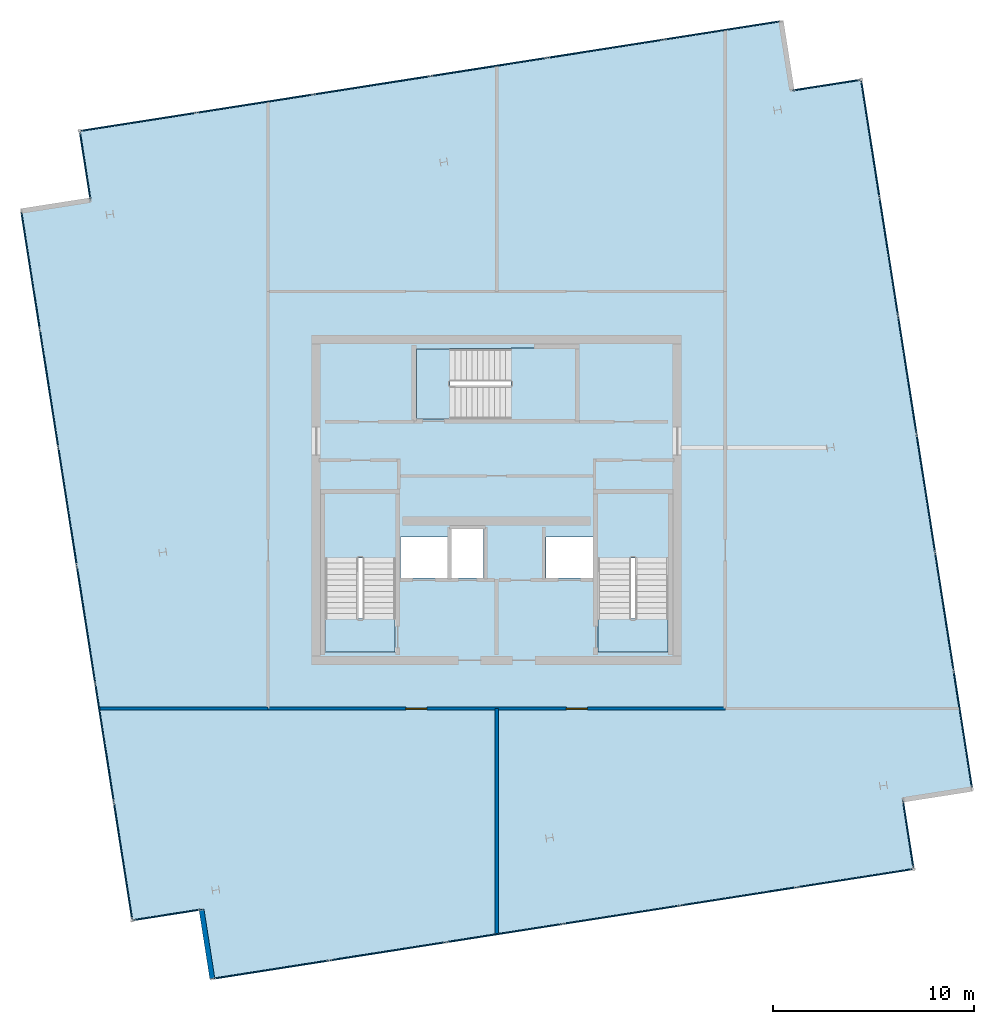
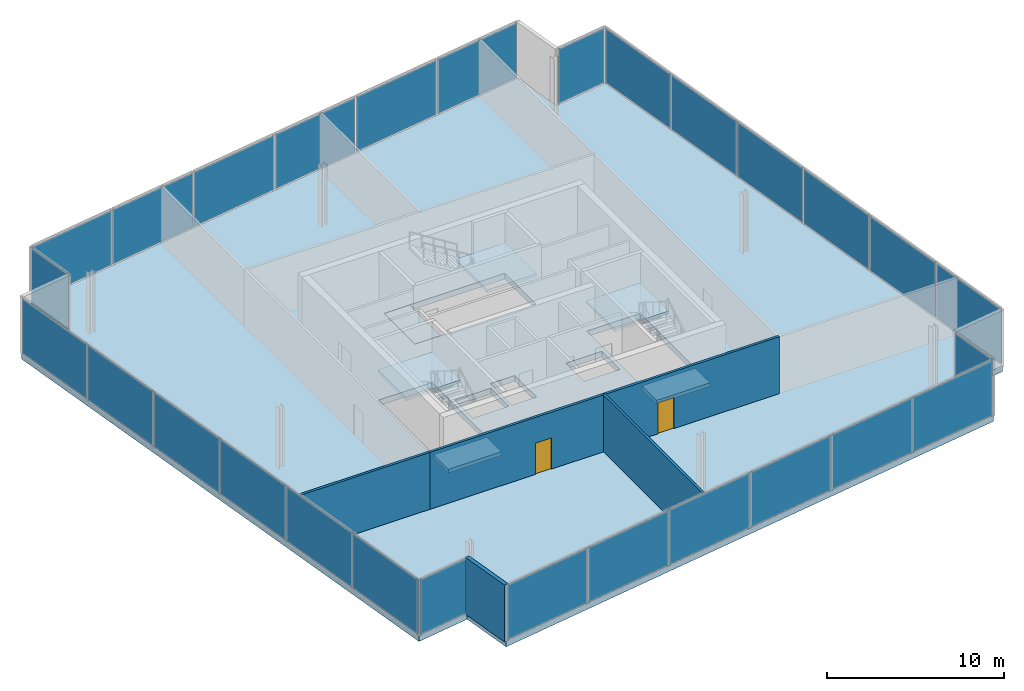
# One storey, part 10 of 13: 28 plates, 7 slabs, 4 walls, 2 doors, 2 openings, 11 elements without a shape of their own.
"""IFC4 building model written with IfcOpenShell, lengths in metres."""

from ifc_helpers import new_model, si_unit, direction, frame, frame_2d, origin, origin_2d, place, context, subcontext, project, spatial, polyline, rectangle, outline, extrude, source, transform, mapped, material, layer, layer_set, type_object, element, fill, aggregate, save


model = new_model("IFC4")

# Units and contexts
model_context = context("Model", 3, precision=1e-05, world=origin(), true_north=direction((0.0, 1.0)))
body_context = subcontext(model_context, "Body", "Model", "MODEL_VIEW")
ifc_project = project(units=[si_unit("LENGTHUNIT", "METRE"), si_unit("AREAUNIT", "SQUARE_METRE"), si_unit("VOLUMEUNIT", "CUBIC_METRE"), si_unit("PLANEANGLEUNIT", "RADIAN"), si_unit("MASSUNIT", "GRAM", prefix="KILO")], contexts=[model_context])

# Site, building, storey
site_placement = place(None, origin())
site = spatial("IfcSite", under=ifc_project, at=site_placement, CompositionType="ELEMENT")
building_placement = place(site_placement, origin())
building = spatial("IfcBuilding", under=site, at=building_placement, Name="Haldenkirk Collegiate Tower", CompositionType="ELEMENT")
storey_placement = place(building_placement, frame((0.0, 0.0, 356.39990234375)))
storey = spatial("IfcBuildingStorey", under=building, at=storey_placement, Name="L90", CompositionType="ELEMENT", Elevation=356.39990234375)

# Slab
ifc_material_1 = material(Name="Concrete f'c 40 MPa", Category="concrete")
ifc_layer_1 = layer(ifc_material_1, 0.39990234375)
ifc_layer_set_1 = layer_set([ifc_layer_1], Name="Concrete f'c 40 MPa")
slab_type_1 = type_object("IfcSlabType", Name="SLB-FLR-400", PredefinedType="FLOOR", material=ifc_layer_set_1)
slab_1_placement = place(storey_placement, frame((0.0, 0.0, -0.39990234375)))
element("IfcSlab", 1, at=slab_1_placement, inside=storey, type_object=slab_type_1, Name="L90 composite structural floor slab", PredefinedType="FLOOR", context=body_context, shape_type="SweptSolid", body=[
    extrude(outline(polyline([(59.714111328125, 11.595458984375), (54.17529296875, 46.96435546875), (50.717529296875, 46.4228515625), (50.176025390625, 49.880615234375), (15.202392578125, 44.404052734375), (15.743896484375, 40.946044921875), (12.285888671875, 40.404541015625), (17.82470703125, 5.03564453125), (21.282470703125, 5.5771484375), (21.823974609375, 2.119384765625), (56.797607421875, 7.595947265625), (56.256103515625, 11.053955078125), (59.714111328125, 11.595458984375)]), holes=[polyline([(27.449951171875, 18.39990234375), (30.949951171875, 18.39990234375), (30.949951171875, 26.300048828125), (27.449951171875, 26.300048828125), (27.449951171875, 18.39990234375)]), polyline([(41.050048828125, 18.39990234375), (44.550048828125, 18.39990234375), (44.550048828125, 26.300048828125), (41.050048828125, 26.300048828125), (41.050048828125, 18.39990234375)]), polyline([(32.0, 30.050048828125), (39.89990234375, 30.050048828125), (39.89990234375, 33.550048828125), (32.0, 33.550048828125), (32.0, 30.050048828125)]), polyline([(33.75, 22.10009765625), (35.35009765625, 22.10009765625), (35.35009765625, 24.550048828125), (33.75, 24.550048828125), (33.75, 22.10009765625)]), polyline([(31.199951171875, 22.10009765625), (33.550048828125, 22.10009765625), (33.550048828125, 24.14990234375), (31.199951171875, 24.14990234375), (31.199951171875, 22.10009765625)]), polyline([(38.449951171875, 22.10009765625), (40.800048828125, 22.10009765625), (40.800048828125, 24.14990234375), (38.449951171875, 24.14990234375), (38.449951171875, 22.10009765625)])]), origin(), (0.0, 0.0, 1.0), 0.39990234375),
])

# Stair, slab
stair_type = type_object("IfcStairType", Name="STR-DOGLEG-1650", PredefinedType="HALF_TURN_STAIR", material=ifc_material_1)
stair_1_placement = place(storey_placement, origin())
stair_1 = element("IfcStair", 2, at=stair_1_placement, inside=storey, type_object=stair_type, Name="L90 Core Exit Stair ST-1", PredefinedType="HALF_TURN_STAIR")
ifc_layer_2 = layer(ifc_material_1, 0.199951171875)
ifc_layer_set_2 = layer_set([ifc_layer_2], Name="Concrete f'c 40 MPa")
slab_type_2 = type_object("IfcSlabType", Name="SLB-LANDING-200", PredefinedType="LANDING", material=ifc_layer_set_2)
slab_2_placement = place(storey_placement, frame((0.0, 0.0, 1.900146484375)))
slab_2 = element("IfcSlab", 3, at=slab_2_placement, type_object=slab_type_2, Name="ST-1 landing 1", PredefinedType="LANDING", context=body_context, shape_type="SweptSolid", body=[
    extrude(outline(polyline([(30.97509765625, 23.10498046875), (27.425048828125, 23.10498046875), (27.425048828125, 26.324951171875), (30.97509765625, 26.324951171875), (30.97509765625, 23.10498046875)])), origin(), (0.0, 0.0, 1.0), 0.199951171875),
])
aggregate(stair_1, [slab_2])

stair_2_placement = place(storey_placement, origin())
stair_2 = element("IfcStair", 4, at=stair_2_placement, inside=storey, type_object=stair_type, Name="L90 Core Exit Stair ST-2", PredefinedType="HALF_TURN_STAIR")
slab_3_placement = place(storey_placement, frame((0.0, 0.0, 1.900146484375)))
slab_3 = element("IfcSlab", 5, at=slab_3_placement, type_object=slab_type_2, Name="ST-2 landing 1", PredefinedType="LANDING", context=body_context, shape_type="SweptSolid", body=[
    extrude(outline(polyline([(44.574951171875, 23.10498046875), (41.02490234375, 23.10498046875), (41.02490234375, 26.324951171875), (44.574951171875, 26.324951171875), (44.574951171875, 23.10498046875)])), origin(), (0.0, 0.0, 1.0), 0.199951171875),
])
aggregate(stair_2, [slab_3])

stair_3_placement = place(storey_placement, origin())
stair_3 = element("IfcStair", 6, at=stair_3_placement, inside=storey, type_object=stair_type, Name="L90 Core Exit Stair ST-3", PredefinedType="HALF_TURN_STAIR")
slab_4_placement = place(storey_placement, frame((0.0, 0.0, 1.900146484375)))
slab_4 = element("IfcSlab", 7, at=slab_4_placement, type_object=slab_type_2, Name="ST-3 landing 1", PredefinedType="LANDING", context=body_context, shape_type="SweptSolid", body=[
    extrude(outline(polyline([(36.705078125, 30.02490234375), (36.705078125, 33.574951171875), (39.925048828125, 33.574951171875), (39.925048828125, 30.02490234375), (36.705078125, 30.02490234375)])), origin(), (0.0, 0.0, 1.0), 0.199951171875),
])
aggregate(stair_3, [slab_4])

# Slabs
ifc_layer_3 = layer(ifc_material_1, 0.25)
ifc_layer_set_3 = layer_set([ifc_layer_3], Name="Concrete f'c 40 MPa")
slab_type_3 = type_object("IfcSlabType", Name="SLB-STAIRLAND-250", PredefinedType="LANDING", material=ifc_layer_set_3)
slab_5_placement = place(storey_placement, frame((0.0, 0.0, -0.25)))
element("IfcSlab", 8, at=slab_5_placement, inside=storey, type_object=slab_type_3, Name="L90 stair ST1 structural floor landing slab", PredefinedType="LANDING", context=body_context, shape_type="SweptSolid", body=[
    extrude(outline(polyline([(27.4599609375, 18.409912109375), (30.93994140625, 18.409912109375), (30.93994140625, 20.080078125), (27.4599609375, 20.080078125), (27.4599609375, 18.409912109375)])), origin(), (0.0, 0.0, 1.0), 0.25),
])
slab_6_placement = place(storey_placement, frame((0.0, 0.0, -0.25)))
element("IfcSlab", 9, at=slab_6_placement, inside=storey, type_object=slab_type_3, Name="L90 stair ST2 structural floor landing slab", PredefinedType="LANDING", context=body_context, shape_type="SweptSolid", body=[
    extrude(outline(polyline([(41.06005859375, 18.409912109375), (44.5400390625, 18.409912109375), (44.5400390625, 20.080078125), (41.06005859375, 20.080078125), (41.06005859375, 18.409912109375)])), origin(), (0.0, 0.0, 1.0), 0.25),
])
slab_7_placement = place(storey_placement, frame((0.0, 0.0, -0.25)))
element("IfcSlab", 10, at=slab_7_placement, inside=storey, type_object=slab_type_3, Name="L90 stair ST3 structural floor landing slab", PredefinedType="LANDING", context=body_context, shape_type="SweptSolid", body=[
    extrude(outline(polyline([(32.010009765625, 30.06005859375), (33.679931640625, 30.06005859375), (33.679931640625, 33.5400390625), (32.010009765625, 33.5400390625), (32.010009765625, 30.06005859375)])), origin(), (0.0, 0.0, 1.0), 0.25),
])

# Curtain wall, plates
ifc_material_2 = material(Name="Anodised architectural bronze aluminium", Category="aluminium")
curtain_wall_type = type_object("IfcCurtainWallType", Name="CW-SYS5-LANTERN", PredefinedType="USERDEFINED", material=ifc_material_2)
curtain_wall_1_placement = place(storey_placement, origin())
curtain_wall_1 = element("IfcCurtainWall", 11, at=curtain_wall_1_placement, inside=storey, type_object=curtain_wall_type, Name="L90 Level L90 glazed crown lantern curtain wall", ObjectType="UNITISED CURTAIN WALL", PredefinedType="USERDEFINED")
ifc_material_3 = material(Name="Low-E argon triple insulating glass", Category="glass")
ifc_layer_4 = layer(ifc_material_3, 0.052001953125)
ifc_layer_set_4 = layer_set([ifc_layer_4], Name="Low-E argon triple insulating glass")
plate_type = type_object("IfcPlateType", Name="CW-PNL-05", PredefinedType="CURTAIN_PANEL", material=ifc_layer_set_4)
shared_shape_1 = source(origin(), body_context, "Body", "SweptSolid", [
    extrude(rectangle(XDim=5.839111328125, YDim=0.052001953125, at=origin_2d()), origin(), (0.0, 0.0, 1.0), 3.760009765625),
])
plate_1_placement = place(storey_placement, frame((54.64013671875, 43.995849609375, 0.0849609375), z_axis=(0.0, 0.0, 1.0), x_axis=(0.154712514742, -0.987959532462, 0.0)))
plate_1 = element("IfcPlate", 12, at=plate_1_placement, type_object=plate_type, Name="CW-05 panel 1.1", PredefinedType="CURTAIN_PANEL", context=body_context, shape_type="MappedRepresentation", body=[
    mapped(shared_shape_1, transform((0.0, 0.0, 0.0), x_axis=(1.0, 0.0, 0.0), y_axis=(0.0, 1.0, 0.0), z_axis=(0.0, 0.0, 1.0), scale=1.0)),
])
plate_2_placement = place(storey_placement, frame((59.249267578125, 14.563720703125, 0.0849609375), z_axis=(0.0, 0.0, 1.0), x_axis=(0.154712514742, -0.987959532462, 0.0)))
plate_2 = element("IfcPlate", 13, at=plate_2_placement, type_object=plate_type, Name="CW-05 panel 6.1", PredefinedType="CURTAIN_PANEL", context=body_context, shape_type="MappedRepresentation", body=[
    mapped(shared_shape_1, transform((0.0, 0.0, 0.0), x_axis=(1.0, 0.0, 0.0), y_axis=(0.0, 1.0, 0.0), z_axis=(0.0, 0.0, 1.0), scale=1.0)),
])

curtain_wall_2_placement = place(storey_placement, origin())
curtain_wall_2 = element("IfcCurtainWall", 14, at=curtain_wall_2_placement, inside=storey, type_object=curtain_wall_type, Name="L90 Level L90 glazed crown lantern curtain wall", ObjectType="UNITISED CURTAIN WALL", PredefinedType="USERDEFINED")
plate_3_placement = place(storey_placement, frame((17.35986328125, 8.004150390625, 0.0849609375), z_axis=(0.0, 0.0, 1.0), x_axis=(-0.154712514742, 0.987959532462, 0.0)))
plate_3 = element("IfcPlate", 15, at=plate_3_placement, type_object=plate_type, Name="CW-05 panel 1.1", PredefinedType="CURTAIN_PANEL", context=body_context, shape_type="MappedRepresentation", body=[
    mapped(shared_shape_1, transform((0.0, 0.0, 0.0), x_axis=(1.0, 0.0, 0.0), y_axis=(0.0, 1.0, 0.0), z_axis=(0.0, 0.0, 1.0), scale=1.0)),
])
plate_4_placement = place(storey_placement, frame((12.750732421875, 37.436279296875, 0.0849609375), z_axis=(0.0, 0.0, 1.0), x_axis=(-0.154712514742, 0.987959532462, 0.0)))
plate_4 = element("IfcPlate", 16, at=plate_4_placement, type_object=plate_type, Name="CW-05 panel 6.1", PredefinedType="CURTAIN_PANEL", context=body_context, shape_type="MappedRepresentation", body=[
    mapped(shared_shape_1, transform((0.0, 0.0, 0.0), x_axis=(1.0, 0.0, 0.0), y_axis=(0.0, 1.0, 0.0), z_axis=(0.0, 0.0, 1.0), scale=1.0)),
])

# Plate
shared_shape_2 = source(origin(), body_context, "Body", "SweptSolid", [
    extrude(rectangle(XDim=5.881591796875, YDim=0.052001953125, at=origin_2d()), origin(), (0.0, 0.0, 1.0), 3.760009765625),
])
plate_5_placement = place(storey_placement, frame((55.56005859375, 38.1220703125, 0.0849609375), z_axis=(0.0, 0.0, 1.0), x_axis=(0.154712514742, -0.987959532462, 0.0)))
plate_5 = element("IfcPlate", 17, at=plate_5_placement, type_object=plate_type, Name="CW-05 panel 2.1", PredefinedType="CURTAIN_PANEL", context=body_context, shape_type="MappedRepresentation", body=[
    mapped(shared_shape_2, transform((0.0, 0.0, 0.0), x_axis=(1.0, 0.0, 0.0), y_axis=(0.0, 1.0, 0.0), z_axis=(0.0, 0.0, 1.0), scale=1.0)),
])

plate_6_placement = place(storey_placement, frame((56.483154296875, 32.227294921875, 0.0849609375), z_axis=(0.0, 0.0, 1.0), x_axis=(0.154712514742, -0.987959532462, 0.0)))
plate_6 = element("IfcPlate", 18, at=plate_6_placement, type_object=plate_type, Name="CW-05 panel 3.1", PredefinedType="CURTAIN_PANEL", context=body_context, shape_type="MappedRepresentation", body=[
    mapped(shared_shape_2, transform((0.0, 0.0, 0.0), x_axis=(1.0, 0.0, 0.0), y_axis=(0.0, 1.0, 0.0), z_axis=(0.0, 0.0, 1.0), scale=1.0)),
])

plate_7_placement = place(storey_placement, frame((57.40625, 26.33251953125, 0.0849609375), z_axis=(0.0, 0.0, 1.0), x_axis=(0.154712514742, -0.987959532462, 0.0)))
plate_7 = element("IfcPlate", 19, at=plate_7_placement, type_object=plate_type, Name="CW-05 panel 4.1", PredefinedType="CURTAIN_PANEL", context=body_context, shape_type="MappedRepresentation", body=[
    mapped(shared_shape_2, transform((0.0, 0.0, 0.0), x_axis=(1.0, 0.0, 0.0), y_axis=(0.0, 1.0, 0.0), z_axis=(0.0, 0.0, 1.0), scale=1.0)),
])

plate_8_placement = place(storey_placement, frame((58.329345703125, 20.437744140625, 0.0849609375), z_axis=(0.0, 0.0, 1.0), x_axis=(0.154712514742, -0.987959532462, 0.0)))
plate_8 = element("IfcPlate", 20, at=plate_8_placement, type_object=plate_type, Name="CW-05 panel 5.1", PredefinedType="CURTAIN_PANEL", context=body_context, shape_type="MappedRepresentation", body=[
    mapped(shared_shape_2, transform((0.0, 0.0, 0.0), x_axis=(1.0, 0.0, 0.0), y_axis=(0.0, 1.0, 0.0), z_axis=(0.0, 0.0, 1.0), scale=1.0)),
])

aggregate(curtain_wall_1, [plate_1, plate_5, plate_6, plate_7, plate_8, plate_2])

plate_9_placement = place(storey_placement, frame((16.43994140625, 13.8779296875, 0.0849609375), z_axis=(0.0, 0.0, 1.0), x_axis=(-0.154712514742, 0.987959532462, 0.0)))
plate_9 = element("IfcPlate", 21, at=plate_9_placement, type_object=plate_type, Name="CW-05 panel 2.1", PredefinedType="CURTAIN_PANEL", context=body_context, shape_type="MappedRepresentation", body=[
    mapped(shared_shape_2, transform((0.0, 0.0, 0.0), x_axis=(1.0, 0.0, 0.0), y_axis=(0.0, 1.0, 0.0), z_axis=(0.0, 0.0, 1.0), scale=1.0)),
])

plate_10_placement = place(storey_placement, frame((15.516845703125, 19.772705078125, 0.0849609375), z_axis=(0.0, 0.0, 1.0), x_axis=(-0.154712514742, 0.987959532462, 0.0)))
plate_10 = element("IfcPlate", 22, at=plate_10_placement, type_object=plate_type, Name="CW-05 panel 3.1", PredefinedType="CURTAIN_PANEL", context=body_context, shape_type="MappedRepresentation", body=[
    mapped(shared_shape_2, transform((0.0, 0.0, 0.0), x_axis=(1.0, 0.0, 0.0), y_axis=(0.0, 1.0, 0.0), z_axis=(0.0, 0.0, 1.0), scale=1.0)),
])

plate_11_placement = place(storey_placement, frame((14.59375, 25.66748046875, 0.0849609375), z_axis=(0.0, 0.0, 1.0), x_axis=(-0.154712514742, 0.987959532462, 0.0)))
plate_11 = element("IfcPlate", 23, at=plate_11_placement, type_object=plate_type, Name="CW-05 panel 4.1", PredefinedType="CURTAIN_PANEL", context=body_context, shape_type="MappedRepresentation", body=[
    mapped(shared_shape_2, transform((0.0, 0.0, 0.0), x_axis=(1.0, 0.0, 0.0), y_axis=(0.0, 1.0, 0.0), z_axis=(0.0, 0.0, 1.0), scale=1.0)),
])

plate_12_placement = place(storey_placement, frame((13.670654296875, 31.562255859375, 0.0849609375), z_axis=(0.0, 0.0, 1.0), x_axis=(-0.154712514742, 0.987959532462, 0.0)))
plate_12 = element("IfcPlate", 24, at=plate_12_placement, type_object=plate_type, Name="CW-05 panel 5.1", PredefinedType="CURTAIN_PANEL", context=body_context, shape_type="MappedRepresentation", body=[
    mapped(shared_shape_2, transform((0.0, 0.0, 0.0), x_axis=(1.0, 0.0, 0.0), y_axis=(0.0, 1.0, 0.0), z_axis=(0.0, 0.0, 1.0), scale=1.0)),
])

aggregate(curtain_wall_2, [plate_3, plate_9, plate_10, plate_11, plate_12, plate_4])

# Curtain wall, plate
curtain_wall_3_placement = place(storey_placement, origin())
curtain_wall_3 = element("IfcCurtainWall", 25, at=curtain_wall_3_placement, inside=storey, type_object=curtain_wall_type, Name="L90 Level L90 glazed crown lantern curtain wall", ObjectType="UNITISED CURTAIN WALL", PredefinedType="USERDEFINED")
shared_shape_3 = source(origin(), body_context, "Body", "SweptSolid", [
    extrude(rectangle(XDim=3.329833984375, YDim=0.052001953125, at=origin_2d()), origin(), (0.0, 0.0, 1.0), 3.760009765625),
])
plate_13_placement = place(storey_placement, frame((52.446533203125, 46.693603515625, 0.0849609375), z_axis=(0.0, 0.0, 1.0), x_axis=(0.987963229557, 0.154688904071, 0.0)))
plate_13 = element("IfcPlate", 26, at=plate_13_placement, type_object=plate_type, Name="CW-05 panel 1.1", PredefinedType="CURTAIN_PANEL", context=body_context, shape_type="MappedRepresentation", body=[
    mapped(shared_shape_3, transform((0.0, 0.0, 0.0), x_axis=(1.0, 0.0, 0.0), y_axis=(0.0, 1.0, 0.0), z_axis=(0.0, 0.0, 1.0), scale=1.0)),
])
aggregate(curtain_wall_3, [plate_13])

curtain_wall_4_placement = place(storey_placement, origin())
curtain_wall_4 = element("IfcCurtainWall", 27, at=curtain_wall_4_placement, inside=storey, type_object=curtain_wall_type, Name="L90 Level L90 glazed crown lantern curtain wall", ObjectType="UNITISED CURTAIN WALL", PredefinedType="USERDEFINED")
plate_14_placement = place(storey_placement, frame((19.553466796875, 5.306396484375, 0.0849609375), z_axis=(0.0, 0.0, 1.0), x_axis=(-0.987963229557, -0.154688904071, 0.0)))
plate_14 = element("IfcPlate", 28, at=plate_14_placement, type_object=plate_type, Name="CW-05 panel 1.1", PredefinedType="CURTAIN_PANEL", context=body_context, shape_type="MappedRepresentation", body=[
    mapped(shared_shape_3, transform((0.0, 0.0, 0.0), x_axis=(1.0, 0.0, 0.0), y_axis=(0.0, 1.0, 0.0), z_axis=(0.0, 0.0, 1.0), scale=1.0)),
])
aggregate(curtain_wall_4, [plate_14])

# Curtain wall, plates
curtain_wall_5_placement = place(storey_placement, origin())
curtain_wall_5 = element("IfcCurtainWall", 29, at=curtain_wall_5_placement, inside=storey, type_object=curtain_wall_type, Name="L90 Level L90 glazed crown lantern curtain wall", ObjectType="UNITISED CURTAIN WALL", PredefinedType="USERDEFINED")
shared_shape_4 = source(origin(), body_context, "Body", "SweptSolid", [
    extrude(rectangle(XDim=5.7724609375, YDim=0.052001953125, at=origin_2d()), origin(), (0.0, 0.0, 1.0), 3.760009765625),
])
plate_15_placement = place(storey_placement, frame((18.1376953125, 44.86376953125, 0.0849609375), z_axis=(0.0, 0.0, 1.0), x_axis=(0.987960085646, 0.154708982189, 0.0)))
plate_15 = element("IfcPlate", 30, at=plate_15_placement, type_object=plate_type, Name="CW-05 panel 1.1", PredefinedType="CURTAIN_PANEL", context=body_context, shape_type="MappedRepresentation", body=[
    mapped(shared_shape_4, transform((0.0, 0.0, 0.0), x_axis=(1.0, 0.0, 0.0), y_axis=(0.0, 1.0, 0.0), z_axis=(0.0, 0.0, 1.0), scale=1.0)),
])
plate_16_placement = place(storey_placement, frame((47.24072265625, 49.421142578125, 0.0849609375), z_axis=(0.0, 0.0, 1.0), x_axis=(0.987960085646, 0.154708982189, 0.0)))
plate_16 = element("IfcPlate", 31, at=plate_16_placement, type_object=plate_type, Name="CW-05 panel 6.1", PredefinedType="CURTAIN_PANEL", context=body_context, shape_type="MappedRepresentation", body=[
    mapped(shared_shape_4, transform((0.0, 0.0, 0.0), x_axis=(1.0, 0.0, 0.0), y_axis=(0.0, 1.0, 0.0), z_axis=(0.0, 0.0, 1.0), scale=1.0)),
])

curtain_wall_6_placement = place(storey_placement, origin())
curtain_wall_6 = element("IfcCurtainWall", 32, at=curtain_wall_6_placement, inside=storey, type_object=curtain_wall_type, Name="L90 Level L90 glazed crown lantern curtain wall", ObjectType="UNITISED CURTAIN WALL", PredefinedType="USERDEFINED")
plate_17_placement = place(storey_placement, frame((53.8623046875, 7.13623046875, 0.0849609375), z_axis=(0.0, 0.0, 1.0), x_axis=(-0.987960085646, -0.154708982189, 0.0)))
plate_17 = element("IfcPlate", 33, at=plate_17_placement, type_object=plate_type, Name="CW-05 panel 1.1", PredefinedType="CURTAIN_PANEL", context=body_context, shape_type="MappedRepresentation", body=[
    mapped(shared_shape_4, transform((0.0, 0.0, 0.0), x_axis=(1.0, 0.0, 0.0), y_axis=(0.0, 1.0, 0.0), z_axis=(0.0, 0.0, 1.0), scale=1.0)),
])
plate_18_placement = place(storey_placement, frame((24.75927734375, 2.578857421875, 0.0849609375), z_axis=(0.0, 0.0, 1.0), x_axis=(-0.987960085646, -0.154708982189, 0.0)))
plate_18 = element("IfcPlate", 34, at=plate_18_placement, type_object=plate_type, Name="CW-05 panel 6.1", PredefinedType="CURTAIN_PANEL", context=body_context, shape_type="MappedRepresentation", body=[
    mapped(shared_shape_4, transform((0.0, 0.0, 0.0), x_axis=(1.0, 0.0, 0.0), y_axis=(0.0, 1.0, 0.0), z_axis=(0.0, 0.0, 1.0), scale=1.0)),
])

# Plate
shared_shape_5 = source(origin(), body_context, "Body", "SweptSolid", [
    extrude(rectangle(XDim=5.81494140625, YDim=0.052001953125, at=origin_2d()), origin(), (0.0, 0.0, 1.0), 3.760009765625),
])
plate_19_placement = place(storey_placement, frame((23.94580078125, 45.773193359375, 0.0849609375), z_axis=(0.0, 0.0, 1.0), x_axis=(0.987960085646, 0.154708982189, 0.0)))
plate_19 = element("IfcPlate", 35, at=plate_19_placement, type_object=plate_type, Name="CW-05 panel 2.1", PredefinedType="CURTAIN_PANEL", context=body_context, shape_type="MappedRepresentation", body=[
    mapped(shared_shape_5, transform((0.0, 0.0, 0.0), x_axis=(1.0, 0.0, 0.0), y_axis=(0.0, 1.0, 0.0), z_axis=(0.0, 0.0, 1.0), scale=1.0)),
])

plate_20_placement = place(storey_placement, frame((29.774658203125, 46.68603515625, 0.0849609375), z_axis=(0.0, 0.0, 1.0), x_axis=(0.987960085646, 0.154708982189, 0.0)))
plate_20 = element("IfcPlate", 36, at=plate_20_placement, type_object=plate_type, Name="CW-05 panel 3.1", PredefinedType="CURTAIN_PANEL", context=body_context, shape_type="MappedRepresentation", body=[
    mapped(shared_shape_5, transform((0.0, 0.0, 0.0), x_axis=(1.0, 0.0, 0.0), y_axis=(0.0, 1.0, 0.0), z_axis=(0.0, 0.0, 1.0), scale=1.0)),
])

plate_21_placement = place(storey_placement, frame((35.603759765625, 47.5986328125, 0.0849609375), z_axis=(0.0, 0.0, 1.0), x_axis=(0.987960085646, 0.154708982189, 0.0)))
plate_21 = element("IfcPlate", 37, at=plate_21_placement, type_object=plate_type, Name="CW-05 panel 4.1", PredefinedType="CURTAIN_PANEL", context=body_context, shape_type="MappedRepresentation", body=[
    mapped(shared_shape_5, transform((0.0, 0.0, 0.0), x_axis=(1.0, 0.0, 0.0), y_axis=(0.0, 1.0, 0.0), z_axis=(0.0, 0.0, 1.0), scale=1.0)),
])

plate_22_placement = place(storey_placement, frame((41.4326171875, 48.511474609375, 0.0849609375), z_axis=(0.0, 0.0, 1.0), x_axis=(0.987960085646, 0.154708982189, 0.0)))
plate_22 = element("IfcPlate", 38, at=plate_22_placement, type_object=plate_type, Name="CW-05 panel 5.1", PredefinedType="CURTAIN_PANEL", context=body_context, shape_type="MappedRepresentation", body=[
    mapped(shared_shape_5, transform((0.0, 0.0, 0.0), x_axis=(1.0, 0.0, 0.0), y_axis=(0.0, 1.0, 0.0), z_axis=(0.0, 0.0, 1.0), scale=1.0)),
])

aggregate(curtain_wall_5, [plate_15, plate_19, plate_20, plate_21, plate_22, plate_16])

plate_23_placement = place(storey_placement, frame((48.05419921875, 6.226806640625, 0.0849609375), z_axis=(0.0, 0.0, 1.0), x_axis=(-0.987960085646, -0.154708982189, 0.0)))
plate_23 = element("IfcPlate", 39, at=plate_23_placement, type_object=plate_type, Name="CW-05 panel 2.1", PredefinedType="CURTAIN_PANEL", context=body_context, shape_type="MappedRepresentation", body=[
    mapped(shared_shape_5, transform((0.0, 0.0, 0.0), x_axis=(1.0, 0.0, 0.0), y_axis=(0.0, 1.0, 0.0), z_axis=(0.0, 0.0, 1.0), scale=1.0)),
])

plate_24_placement = place(storey_placement, frame((42.225341796875, 5.31396484375, 0.0849609375), z_axis=(0.0, 0.0, 1.0), x_axis=(-0.987960085646, -0.154708982189, 0.0)))
plate_24 = element("IfcPlate", 40, at=plate_24_placement, type_object=plate_type, Name="CW-05 panel 3.1", PredefinedType="CURTAIN_PANEL", context=body_context, shape_type="MappedRepresentation", body=[
    mapped(shared_shape_5, transform((0.0, 0.0, 0.0), x_axis=(1.0, 0.0, 0.0), y_axis=(0.0, 1.0, 0.0), z_axis=(0.0, 0.0, 1.0), scale=1.0)),
])

plate_25_placement = place(storey_placement, frame((36.396240234375, 4.4013671875, 0.0849609375), z_axis=(0.0, 0.0, 1.0), x_axis=(-0.987960085646, -0.154708982189, 0.0)))
plate_25 = element("IfcPlate", 41, at=plate_25_placement, type_object=plate_type, Name="CW-05 panel 4.1", PredefinedType="CURTAIN_PANEL", context=body_context, shape_type="MappedRepresentation", body=[
    mapped(shared_shape_5, transform((0.0, 0.0, 0.0), x_axis=(1.0, 0.0, 0.0), y_axis=(0.0, 1.0, 0.0), z_axis=(0.0, 0.0, 1.0), scale=1.0)),
])

plate_26_placement = place(storey_placement, frame((30.5673828125, 3.488525390625, 0.0849609375), z_axis=(0.0, 0.0, 1.0), x_axis=(-0.987960085646, -0.154708982189, 0.0)))
plate_26 = element("IfcPlate", 42, at=plate_26_placement, type_object=plate_type, Name="CW-05 panel 5.1", PredefinedType="CURTAIN_PANEL", context=body_context, shape_type="MappedRepresentation", body=[
    mapped(shared_shape_5, transform((0.0, 0.0, 0.0), x_axis=(1.0, 0.0, 0.0), y_axis=(0.0, 1.0, 0.0), z_axis=(0.0, 0.0, 1.0), scale=1.0)),
])

aggregate(curtain_wall_6, [plate_17, plate_23, plate_24, plate_25, plate_26, plate_18])

# Curtain wall, plate
curtain_wall_7_placement = place(storey_placement, origin())
curtain_wall_7 = element("IfcCurtainWall", 43, at=curtain_wall_7_placement, inside=storey, type_object=curtain_wall_type, Name="L90 Level L90 glazed crown lantern curtain wall", ObjectType="UNITISED CURTAIN WALL", PredefinedType="USERDEFINED")
shared_shape_6 = source(origin(), body_context, "Body", "SweptSolid", [
    extrude(rectangle(XDim=3.330078125, YDim=0.052001953125, at=origin_2d()), origin(), (0.0, 0.0, 1.0), 3.760009765625),
])
plate_27_placement = place(storey_placement, frame((15.47314453125, 42.675048828125, 0.0849609375), z_axis=(0.0, 0.0, 1.0), x_axis=(-0.154712425009, 0.987959546514, 0.0)))
plate_27 = element("IfcPlate", 44, at=plate_27_placement, type_object=plate_type, Name="CW-05 panel 1.1", PredefinedType="CURTAIN_PANEL", context=body_context, shape_type="MappedRepresentation", body=[
    mapped(shared_shape_6, transform((0.0, 0.0, 0.0), x_axis=(1.0, 0.0, 0.0), y_axis=(0.0, 1.0, 0.0), z_axis=(0.0, 0.0, 1.0), scale=1.0)),
])
aggregate(curtain_wall_7, [plate_27])

curtain_wall_8_placement = place(storey_placement, origin())
curtain_wall_8 = element("IfcCurtainWall", 45, at=curtain_wall_8_placement, inside=storey, type_object=curtain_wall_type, Name="L90 Level L90 glazed crown lantern curtain wall", ObjectType="UNITISED CURTAIN WALL", PredefinedType="USERDEFINED")
plate_28_placement = place(storey_placement, frame((56.52685546875, 9.324951171875, 0.0849609375), z_axis=(0.0, 0.0, 1.0), x_axis=(0.154712425009, -0.987959546514, 0.0)))
plate_28 = element("IfcPlate", 46, at=plate_28_placement, type_object=plate_type, Name="CW-05 panel 1.1", PredefinedType="CURTAIN_PANEL", context=body_context, shape_type="MappedRepresentation", body=[
    mapped(shared_shape_6, transform((0.0, 0.0, 0.0), x_axis=(1.0, 0.0, 0.0), y_axis=(0.0, 1.0, 0.0), z_axis=(0.0, 0.0, 1.0), scale=1.0)),
])
aggregate(curtain_wall_8, [plate_28])

# Wall
ifc_material_4 = material(Name="Precast concrete f'c 40 MPa", Category="concrete")
ifc_layer_5 = layer(ifc_material_4, 0.25)
ifc_layer_set_5 = layer_set([ifc_layer_5], Name="Precast concrete f'c 40 MPa")
wall_type_1 = type_object("IfcWallType", Name="WL-EXT-CRN-250", PredefinedType="STANDARD", material=ifc_layer_set_5)
wall_1_placement = place(storey_placement, frame((21.823974609375, 2.119384765625, 0.0), z_axis=(0.0, 0.0, 1.0), x_axis=(-0.154719468176, 0.987958443543, 0.0)))
element("IfcWall", 47, at=wall_1_placement, inside=storey, type_object=wall_type_1, Name="L90 crown bronze precast enclosure wall 09", PredefinedType="STANDARD", context=body_context, shape_type="SweptSolid", body=[
    extrude(rectangle(XDim=3.5, YDim=0.25, at=frame_2d((1.75, 0.0))), origin(), (0.0, 0.0, 1.0), 3.93017578125),
])

# Wall, openings, doors
ifc_material_5 = material(Name="Acoustic fire-rated gypsum partition", Category="concrete")
ifc_layer_6 = layer(ifc_material_5, 0.159912109375)
ifc_layer_set_6 = layer_set([ifc_layer_6], Name="Acoustic fire-rated gypsum partition")
wall_type_2 = type_object("IfcWallType", Name="WL-INT-CORR-160", PredefinedType="PARTITIONING", material=ifc_layer_set_6)
wall_2_placement = place(storey_placement, frame((24.60009765625, 15.60009765625, 0.0), z_axis=(0.0, 0.0, 1.0), x_axis=(1.0, 0.0, 0.0)))
wall_2 = element("IfcWall", 48, at=wall_2_placement, inside=storey, type_object=wall_type_2, Name="L90 interior partition IW-L90-CS", PredefinedType="PARTITIONING", context=body_context, shape_type="SweptSolid", body=[
    extrude(rectangle(XDim=22.7998046875, YDim=0.159912109375, at=frame_2d((11.39990234375, 0.0))), origin(), (0.0, 0.0, 1.0), 3.93017578125),
])
opening_1_placement = place(wall_2_placement, frame((6.875, 0.0, 0.0)))
opening_1 = element("IfcOpeningElement", 49, at=opening_1_placement, cuts=wall_2, Name="Opening D-09", PredefinedType="OPENING", context=body_context, shape_type="SweptSolid", body=[
    extrude(rectangle(XDim=1.050048828125, YDim=2.14990234375, at=frame_2d((0.52490234375, 1.074951171875))), frame((0.0, 0.08984375, 0.0), z_axis=(0.0, -1.0, 0.0), x_axis=(1.0, 0.0, 0.0)), (0.0, 0.0, 1.0), 0.179931640625),
])
opening_2_placement = place(wall_2_placement, frame((14.875, 0.0, 0.0)))
opening_2 = element("IfcOpeningElement", 50, at=opening_2_placement, cuts=wall_2, Name="Opening D-09", PredefinedType="OPENING", context=body_context, shape_type="SweptSolid", body=[
    extrude(rectangle(XDim=1.050048828125, YDim=2.14990234375, at=frame_2d((0.52490234375, 1.074951171875))), frame((0.0, 0.08984375, 0.0), z_axis=(0.0, -1.0, 0.0), x_axis=(1.0, 0.0, 0.0)), (0.0, 0.0, 1.0), 0.179931640625),
])
ifc_material_6 = material(Name="Solid-core architectural oak fire door", Category="wood")
ifc_layer_7 = layer(ifc_material_6, 0.06005859375)
ifc_layer_set_7 = layer_set([ifc_layer_7], Name="Solid-core architectural oak fire door")
door_type = type_object("IfcDoorType", Name="DR-INT-FD60-1050", OperationType="NOTDEFINED", PredefinedType="DOOR", material=ifc_layer_set_7)
door_1_placement = place(opening_1_placement, origin())
door_1 = element("IfcDoor", 51, at=door_1_placement, inside=storey, type_object=door_type, Name="L90 crown SW plant door", OperationType="SINGLE_SWING_RIGHT", OverallHeight=2.14990234375, OverallWidth=1.050048828125, PredefinedType="DOOR", context=body_context, shape_type="SweptSolid", body=[
    extrude(rectangle(XDim=1.050048828125, YDim=2.14990234375, at=frame_2d((0.52490234375, 1.074951171875))), frame((0.0, 0.02490234375, 0.0), z_axis=(0.0, -1.0, 0.0), x_axis=(1.0, 0.0, 0.0)), (0.0, 0.0, 1.0), 0.050048828125),
])
fill(opening_1, door_1)
door_2_placement = place(opening_2_placement, origin())
door_2 = element("IfcDoor", 52, at=door_2_placement, inside=storey, type_object=door_type, Name="L90 crown SE plant door", OperationType="SINGLE_SWING_LEFT", OverallHeight=2.14990234375, OverallWidth=1.050048828125, PredefinedType="DOOR", context=body_context, shape_type="SweptSolid", body=[
    extrude(rectangle(XDim=1.050048828125, YDim=2.14990234375, at=frame_2d((0.52490234375, 1.074951171875))), frame((0.0, 0.02490234375, 0.0), z_axis=(0.0, -1.0, 0.0), x_axis=(1.0, 0.0, 0.0)), (0.0, 0.0, 1.0), 0.050048828125),
])
fill(opening_2, door_2)

# Walls
wall_3_placement = place(storey_placement, frame((36.0, 4.379638671875, 0.0), z_axis=(0.0, 0.0, 1.0), x_axis=(0.0, 1.0, 0.0)))
element("IfcWall", 53, at=wall_3_placement, inside=storey, type_object=wall_type_2, Name="L90 interior partition IW-L90-D1", PredefinedType="PARTITIONING", context=body_context, shape_type="SweptSolid", body=[
    extrude(rectangle(XDim=11.220458984375, YDim=0.159912109375, at=frame_2d((5.6103515625, 0.0))), origin(), (0.0, 0.0, 1.0), 3.93017578125),
])
wall_4_placement = place(storey_placement, frame((16.210693359375, 15.60009765625, 0.0), z_axis=(0.0, 0.0, 1.0), x_axis=(1.0, 0.0, 0.0)))
element("IfcWall", 54, at=wall_4_placement, inside=storey, type_object=wall_type_2, Name="L90 interior partition IW-L90-D3", PredefinedType="PARTITIONING", context=body_context, shape_type="SweptSolid", body=[
    extrude(rectangle(XDim=8.389404296875, YDim=0.159912109375, at=frame_2d((4.19482421875, 0.0))), origin(), (0.0, 0.0, 1.0), 3.93017578125),
])

save(model, "model.ifc")
